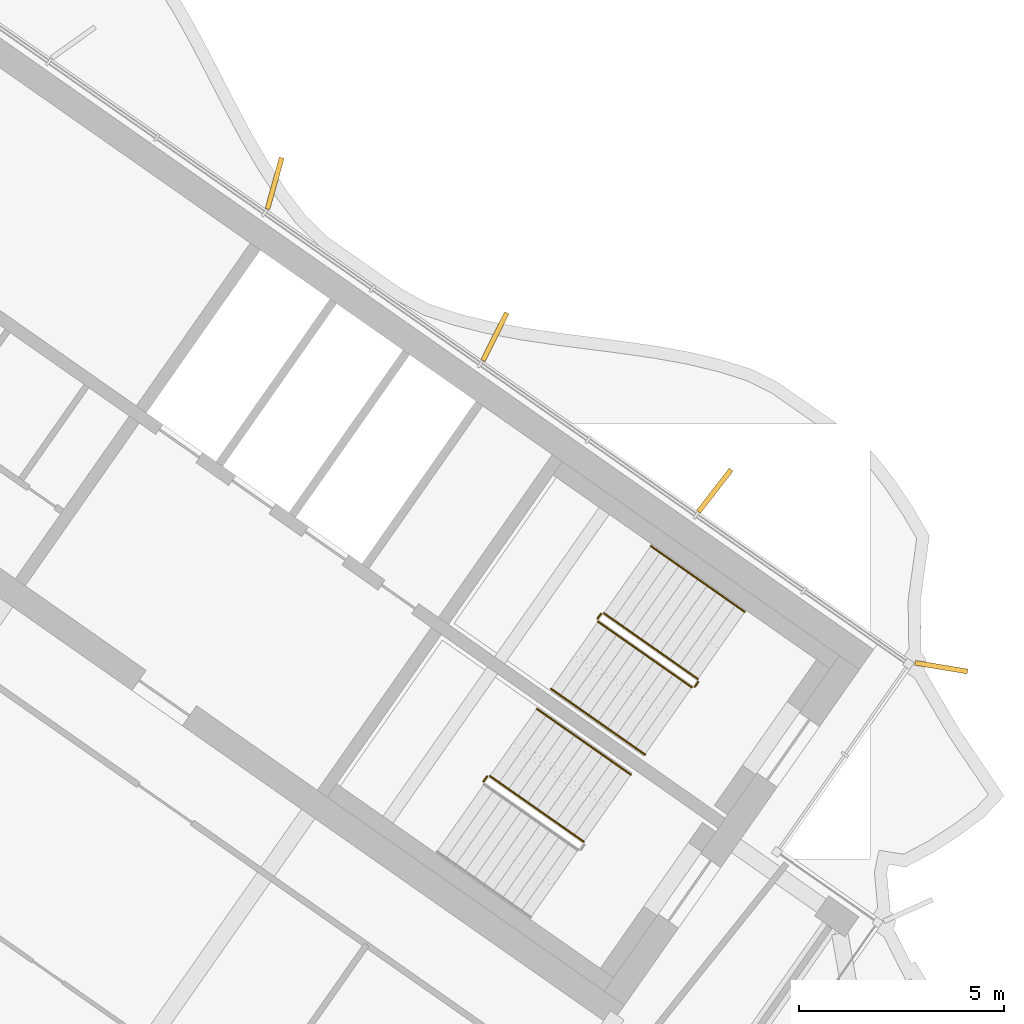
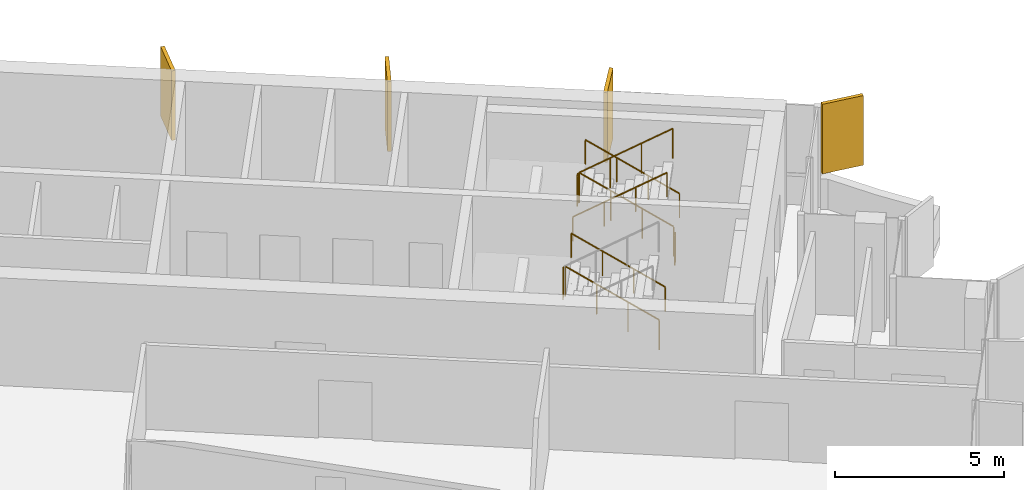
# One storey, part 17 of 18: 9 railings, 4 shading devices.
"""IFC4 building model written with IfcOpenShell, lengths in metres."""

from ifc_helpers import new_model, si_unit, direction, frame, origin, origin_2d, place, context, subcontext, project, spatial, rectangle, circle, extrude, material, layer, layer_set, type_object, element, save


model = new_model("IFC4")

# Units and contexts
model_context = context("Model", 3, precision=1e-05, world=origin(), true_north=direction((0.0, 1.0)))
body_context = subcontext(model_context, "Body", "Model", "MODEL_VIEW")
ifc_project = project(units=[si_unit("LENGTHUNIT", "METRE"), si_unit("AREAUNIT", "SQUARE_METRE"), si_unit("VOLUMEUNIT", "CUBIC_METRE"), si_unit("PLANEANGLEUNIT", "RADIAN"), si_unit("MASSUNIT", "GRAM", prefix="KILO")], contexts=[model_context])

# Site, building, storey
site_placement = place(None, origin())
site = spatial("IfcSite", under=ifc_project, at=site_placement, CompositionType="ELEMENT")
building_placement = place(site_placement, origin())
building = spatial("IfcBuilding", under=site, at=building_placement, Name="Tel Ilan Convention Tower", CompositionType="ELEMENT")
storey_placement = place(building_placement, frame((0.0, 0.0, 299.5)))
storey = spatial("IfcBuildingStorey", under=building, at=storey_placement, Name="L71", CompositionType="ELEMENT", Elevation=299.5)

# Shading devices
ifc_material_1 = material(Name="Aluminium, bronze anodised", Category="aluminium")
ifc_layer = layer(ifc_material_1, 0.1201171875)
ifc_layer_set = layer_set([ifc_layer], Name="FIN BRONZE 1300x120")
shading_device_type = type_object("IfcShadingDeviceType", Name="FIN BRONZE 1300x120", PredefinedType="USERDEFINED", material=ifc_layer_set)
for number, where, z_axis, x_axis, name in (
    (1, (29.619140625, -7.562255859375, 1.10009765625), (0.0, 0.0, 1.0), (0.986445172547, -0.16409119891, 0.0), "FIN"),
    (2, (24.09326171875, -3.256591796875, 1.10009765625), (0.0, 0.0, 1.0), (0.612600545196, 0.790392669516, 0.0), "FIN"),
    (3, (18.724853515625, 0.501953125, 1.10009765625), (0.0, 0.0, 1.0), (0.448799180206, 0.893632640321, 0.0), "FIN"),
    (4, (13.3486328125, 4.243408203125, 1.10009765625), (0.0, 0.0, 1.0), (0.268172612768, 0.963370878614, 0.0), "FIN"),
):
    element("IfcShadingDevice", number, at=place(storey_placement, frame(where, z_axis=z_axis, x_axis=x_axis)), inside=storey, type_object=shading_device_type, Name=name, ObjectType="FIN", PredefinedType="USERDEFINED", context=body_context, shape_type="SweptSolid", body=[
        extrude(rectangle(XDim=1.300048828125, YDim=0.1201171875, at=origin_2d()), origin(), (0.0, 0.0, 1.0), 2.52001953125),
    ])

# Railings
ifc_material_2 = material(Name="Stainless Steel Grade 316", Category="steel")
railing_type_1 = type_object("IfcRailingType", Name="Stainless Steel Stair Guard 1100 mm", PredefinedType="GUARDRAIL", material=ifc_material_2)
railing_1_placement = place(storey_placement, frame((23.6787109375, -7.8515625, 0.17724609375)))
element("IfcRailing", 5, at=railing_1_placement, inside=storey, type_object=railing_type_1, Name="L71 S3 stair guard 1", PredefinedType="GUARDRAIL", context=body_context, shape_type="SweptSolid", body=[
    extrude(circle(Radius=0.02392578125, at=origin_2d()), frame((0.0, 0.0, 1.076171875), z_axis=(-0.692084706163, 0.484621375041, 0.534940073605), x_axis=(-0.573591086599, -0.819141785879, 0.0)), (0.0, 0.0, 1.0), 3.313720703125),
    extrude(circle(Radius=0.02099609375, at=origin_2d()), origin(), (0.0, 0.0, 1.0), 1.052001953125),
    extrude(circle(Radius=0.02099609375, at=origin_2d()), frame((-0.764404296875, 0.535400390625, 0.5908203125)), (0.0, 0.0, 1.0), 1.052001953125),
    extrude(circle(Radius=0.02099609375, at=origin_2d()), frame((-1.529052734375, 1.070556640625, 1.181884765625)), (0.0, 0.0, 1.0), 1.052001953125),
    extrude(circle(Radius=0.02099609375, at=origin_2d()), frame((-2.29345703125, 1.60595703125, 1.772705078125)), (0.0, 0.0, 1.0), 1.052001953125),
])
railing_2_placement = place(storey_placement, frame((21.3154296875, -6.2578125, 1.949951171875)))
element("IfcRailing", 6, at=railing_2_placement, inside=storey, type_object=railing_type_1, Name="L71 S3 stair guard 2", PredefinedType="GUARDRAIL", context=body_context, shape_type="SweptSolid", body=[
    extrude(circle(Radius=0.02392578125, at=origin_2d()), frame((0.0, 0.0, 1.076171875), z_axis=(-0.573353020881, -0.819308436089, 0.0), x_axis=(0.819308436089, -0.573353020881, 0.0)), (0.0, 0.0, 1.0), 0.14990234375),
    extrude(circle(Radius=0.02099609375, at=origin_2d()), origin(), (0.0, 0.0, 1.0), 1.052001953125),
    extrude(circle(Radius=0.02099609375, at=origin_2d()), frame((-0.0859375, -0.122802734375, 0.0)), (0.0, 0.0, 1.0), 1.052001953125),
])
railing_3_placement = place(storey_placement, frame((21.24169921875, -6.4501953125, 2.127197265625)))
element("IfcRailing", 7, at=railing_3_placement, inside=storey, type_object=railing_type_1, Name="L71 S3 stair guard 3", PredefinedType="GUARDRAIL", context=body_context, shape_type="SweptSolid", body=[
    extrude(circle(Radius=0.02392578125, at=origin_2d()), frame((0.0, 0.0, 1.076171875), z_axis=(0.692098378994, -0.484653031975, 0.534893701956), x_axis=(0.573608623498, 0.819129505664, 0.0)), (0.0, 0.0, 1.0), 3.314208984375),
    extrude(circle(Radius=0.02099609375, at=origin_2d()), origin(), (0.0, 0.0, 1.0), 1.052001953125),
    extrude(circle(Radius=0.02099609375, at=origin_2d()), frame((0.7646484375, -0.535400390625, 0.5908203125)), (0.0, 0.0, 1.0), 1.052001953125),
    extrude(circle(Radius=0.02099609375, at=origin_2d()), frame((1.529052734375, -1.07080078125, 1.181884765625)), (0.0, 0.0, 1.0), 1.052001953125),
    extrude(circle(Radius=0.02099609375, at=origin_2d()), frame((2.293701171875, -1.606201171875, 1.772705078125)), (0.0, 0.0, 1.0), 1.052001953125),
])
railing_4_placement = place(storey_placement, frame((23.691162109375, -7.921142578125, 0.0)))
element("IfcRailing", 8, at=railing_4_placement, inside=storey, type_object=railing_type_1, Name="L71 S3 stair guard 4", PredefinedType="GUARDRAIL", context=body_context, shape_type="SweptSolid", body=[
    extrude(circle(Radius=0.02392578125, at=origin_2d()), frame((0.0, 0.0, 1.076171875), z_axis=(-0.574444878118, -0.818543268254, 0.0), x_axis=(0.818543268254, -0.574444878118, 0.0)), (0.0, 0.0, 1.0), 0.150146484375),
    extrude(circle(Radius=0.02099609375, at=origin_2d()), origin(), (0.0, 0.0, 1.0), 1.052001953125),
    extrude(circle(Radius=0.02099609375, at=origin_2d()), frame((-0.086181640625, -0.122802734375, 0.0)), (0.0, 0.0, 1.0), 1.052001953125),
])
railing_5_placement = place(storey_placement, frame((20.89697265625, -11.824462890625, 0.17724609375)))
element("IfcRailing", 9, at=railing_5_placement, inside=storey, type_object=railing_type_1, Name="L71 S4 stair guard 1", PredefinedType="GUARDRAIL", context=body_context, shape_type="SweptSolid", body=[
    extrude(circle(Radius=0.02392578125, at=origin_2d()), frame((0.0, 0.0, 1.076171875), z_axis=(-0.692123088272, 0.484596665743, 0.534912798717), x_axis=(-0.573550118428, -0.819170471667, 0.0)), (0.0, 0.0, 1.0), 3.31396484375),
    extrude(circle(Radius=0.02099609375, at=origin_2d()), origin(), (0.0, 0.0, 1.0), 1.052001953125),
    extrude(circle(Radius=0.02099609375, at=origin_2d()), frame((-0.7646484375, 0.535400390625, 0.5908203125)), (0.0, 0.0, 1.0), 1.052001953125),
    extrude(circle(Radius=0.02099609375, at=origin_2d()), frame((-1.529052734375, 1.070556640625, 1.181884765625)), (0.0, 0.0, 1.0), 1.052001953125),
    extrude(circle(Radius=0.02099609375, at=origin_2d()), frame((-2.293701171875, 1.60595703125, 1.772705078125)), (0.0, 0.0, 1.0), 1.052001953125),
])
railing_6_placement = place(storey_placement, frame((18.53369140625, -10.230712890625, 1.949951171875)))
element("IfcRailing", 10, at=railing_6_placement, inside=storey, type_object=railing_type_1, Name="L71 S4 stair guard 2", PredefinedType="GUARDRAIL", context=body_context, shape_type="SweptSolid", body=[
    extrude(circle(Radius=0.02392578125, at=origin_2d()), frame((0.0, 0.0, 1.076171875), z_axis=(-0.573353020881, -0.819308436089, 0.0), x_axis=(0.819308436089, -0.573353020881, 0.0)), (0.0, 0.0, 1.0), 0.14990234375),
    extrude(circle(Radius=0.02099609375, at=origin_2d()), origin(), (0.0, 0.0, 1.0), 1.052001953125),
    extrude(circle(Radius=0.02099609375, at=origin_2d()), frame((-0.0859375, -0.122802734375, 0.0)), (0.0, 0.0, 1.0), 1.052001953125),
])
ifc_material_3 = material(Name="Stainless Steel Grade 316", Category="steel")
railing_type_2 = type_object("IfcRailingType", Name="Stainless Steel Stair Handrail 900 mm", PredefinedType="HANDRAIL", material=ifc_material_3)
railing_7_placement = place(storey_placement, frame((24.825927734375, -6.213134765625, 0.17724609375)))
element("IfcRailing", 11, at=railing_7_placement, inside=storey, type_object=railing_type_2, Name="L71 S3 stair handrail 1", PredefinedType="HANDRAIL", context=body_context, shape_type="SweptSolid", body=[
    extrude(circle(Radius=0.02392578125, at=origin_2d()), frame((0.0, 0.0, 0.8759765625), z_axis=(-0.692123088272, 0.484596665743, 0.534912798717), x_axis=(-0.573550118428, -0.819170471667, 0.0)), (0.0, 0.0, 1.0), 3.31396484375),
    extrude(circle(Radius=0.02099609375, at=origin_2d()), origin(), (0.0, 0.0, 1.0), 0.851806640625),
    extrude(circle(Radius=0.02099609375, at=origin_2d()), frame((-0.7646484375, 0.535400390625, 0.5908203125)), (0.0, 0.0, 1.0), 0.851806640625),
    extrude(circle(Radius=0.02099609375, at=origin_2d()), frame((-1.529052734375, 1.070556640625, 1.181884765625)), (0.0, 0.0, 1.0), 0.851806640625),
    extrude(circle(Radius=0.02099609375, at=origin_2d()), frame((-2.293701171875, 1.60595703125, 1.772705078125)), (0.0, 0.0, 1.0), 0.851806640625),
])
railing_8_placement = place(storey_placement, frame((20.0947265625, -8.088623046875, 2.127197265625)))
element("IfcRailing", 12, at=railing_8_placement, inside=storey, type_object=railing_type_2, Name="L71 S3 stair handrail 2", PredefinedType="HANDRAIL", context=body_context, shape_type="SweptSolid", body=[
    extrude(circle(Radius=0.02392578125, at=origin_2d()), frame((0.0, 0.0, 0.8759765625), z_axis=(0.692084706163, -0.484621375041, 0.534940073605), x_axis=(0.573591086599, 0.819141785879, 0.0)), (0.0, 0.0, 1.0), 3.313720703125),
    extrude(circle(Radius=0.02099609375, at=origin_2d()), origin(), (0.0, 0.0, 1.0), 0.851806640625),
    extrude(circle(Radius=0.02099609375, at=origin_2d()), frame((0.764404296875, -0.535400390625, 0.5908203125)), (0.0, 0.0, 1.0), 0.851806640625),
    extrude(circle(Radius=0.02099609375, at=origin_2d()), frame((1.529052734375, -1.070556640625, 1.181884765625)), (0.0, 0.0, 1.0), 0.851806640625),
    extrude(circle(Radius=0.02099609375, at=origin_2d()), frame((2.29345703125, -1.60595703125, 1.772705078125)), (0.0, 0.0, 1.0), 0.851806640625),
])
railing_9_placement = place(storey_placement, frame((22.044189453125, -10.18603515625, 0.17724609375)))
element("IfcRailing", 13, at=railing_9_placement, inside=storey, type_object=railing_type_2, Name="L71 S4 stair handrail 1", PredefinedType="HANDRAIL", context=body_context, shape_type="SweptSolid", body=[
    extrude(circle(Radius=0.02392578125, at=origin_2d()), frame((0.0, 0.0, 0.8759765625), z_axis=(-0.692123088272, 0.484596665743, 0.534912798717), x_axis=(-0.573550118428, -0.819170471667, 0.0)), (0.0, 0.0, 1.0), 3.31396484375),
    extrude(circle(Radius=0.02099609375, at=origin_2d()), origin(), (0.0, 0.0, 1.0), 0.851806640625),
    extrude(circle(Radius=0.02099609375, at=origin_2d()), frame((-0.7646484375, 0.535400390625, 0.5908203125)), (0.0, 0.0, 1.0), 0.851806640625),
    extrude(circle(Radius=0.02099609375, at=origin_2d()), frame((-1.529052734375, 1.070556640625, 1.181884765625)), (0.0, 0.0, 1.0), 0.851806640625),
    extrude(circle(Radius=0.02099609375, at=origin_2d()), frame((-2.293701171875, 1.60595703125, 1.772705078125)), (0.0, 0.0, 1.0), 0.851806640625),
])

save(model, "model.ifc")
